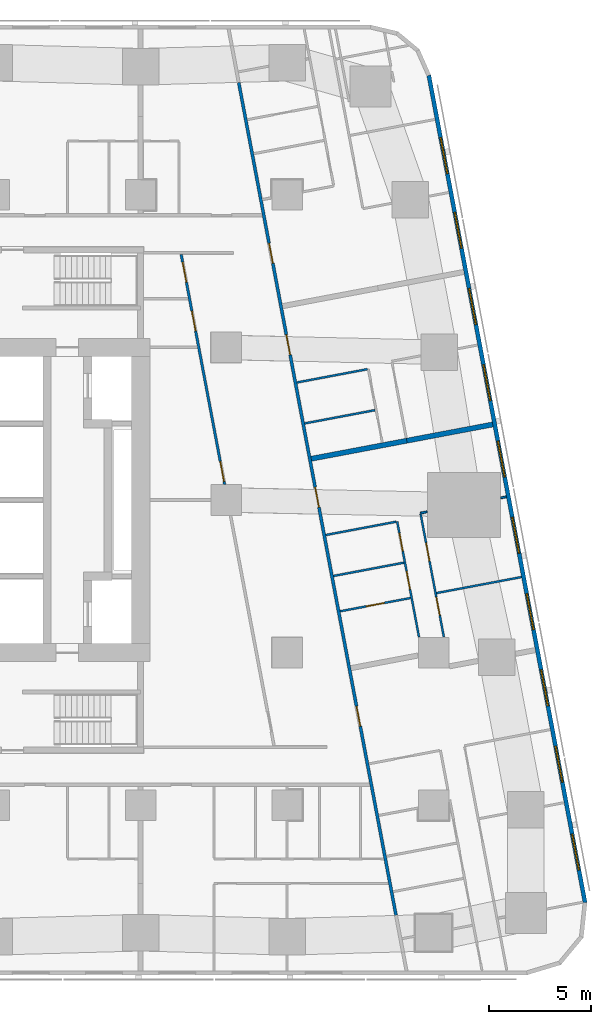
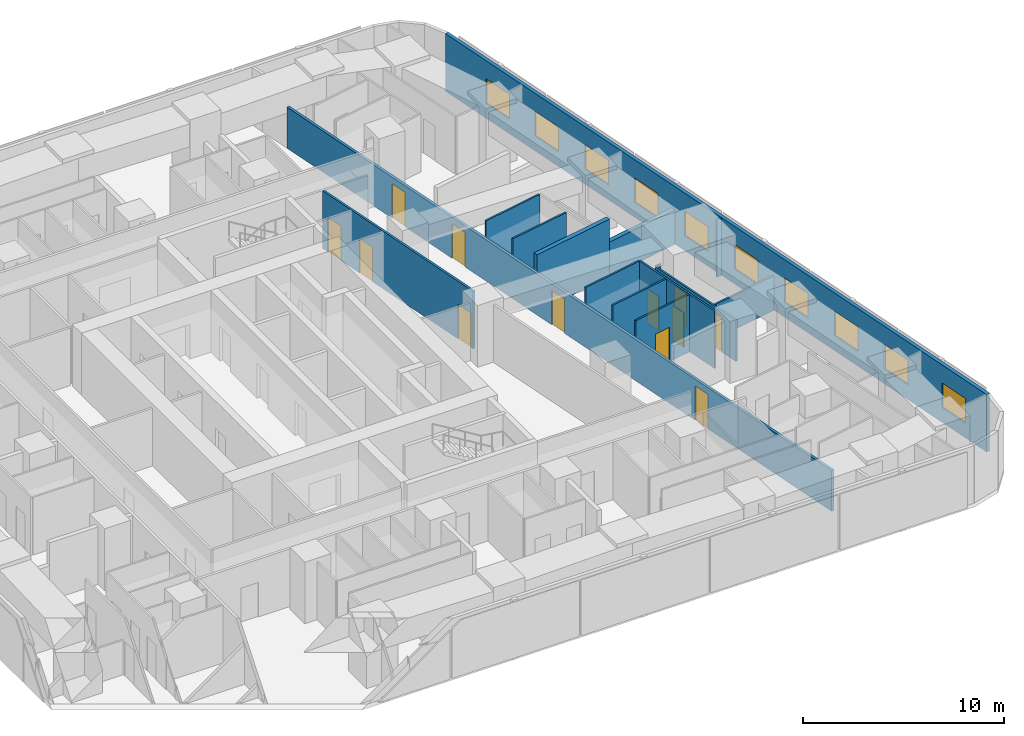
# One storey, part 7 of 15: 15 walls, 12 doors, 10 windows, 22 openings.
"""IFC4 building model written with IfcOpenShell, lengths in metres."""

from ifc_helpers import new_model, si_unit, direction, frame, frame_2d, origin, place, context, subcontext, project, spatial, rectangle, extrude, material, layer, layer_set, type_object, element, fill, save


model = new_model("IFC4")

# Units and contexts
model_context = context("Model", 3, precision=1e-05, world=origin(), true_north=direction((0.0, 1.0)))
body_context = subcontext(model_context, "Body", "Model", "MODEL_VIEW")
ifc_project = project(units=[si_unit("LENGTHUNIT", "METRE"), si_unit("AREAUNIT", "SQUARE_METRE"), si_unit("VOLUMEUNIT", "CUBIC_METRE"), si_unit("PLANEANGLEUNIT", "RADIAN"), si_unit("MASSUNIT", "GRAM", prefix="KILO")], contexts=[model_context])

# Site, building, storey
site_placement = place(None, origin())
site = spatial("IfcSite", under=ifc_project, at=site_placement, CompositionType="ELEMENT")
building_placement = place(site_placement, origin())
building = spatial("IfcBuilding", under=site, at=building_placement, Name="Sheger Commons Tower", CompositionType="ELEMENT")
storey_placement = place(building_placement, frame((0.0, 0.0, 180.800048828125)))
storey = spatial("IfcBuildingStorey", under=building, at=storey_placement, Name="L46", CompositionType="ELEMENT", Elevation=180.800048828125)

# Wall, openings, doors
ifc_material_1 = material(Name="Hollow concrete block masonry, skimmed both sides", Category="masonry")
ifc_layer_1 = layer(ifc_material_1, 0.14990234375)
ifc_layer_set_1 = layer_set([ifc_layer_1], Name="CORRIDOR WALL 150")
wall_type_1 = type_object("IfcWallType", Name="CORRIDOR WALL 150", PredefinedType="SOLIDWALL", material=ifc_layer_set_1)
wall_1_placement = place(storey_placement, frame((33.623046875, 43.02197265625, 0.0), z_axis=(0.0, 0.0, 1.0), x_axis=(0.185596841028, -0.98262597798, 0.0)))
wall_1 = element("IfcWall", 1, at=wall_1_placement, inside=storey, type_object=wall_type_1, Name="Corridor wall L46", PredefinedType="SOLIDWALL", context=body_context, shape_type="SweptSolid", body=[
    extrude(rectangle(XDim=41.659912109375, YDim=0.14990234375, at=frame_2d((20.830078125, 0.0))), origin(), (0.0, 0.0, 1.0), 2.5),
])
opening_1_placement = place(wall_1_placement, frame((8.033935546875, 0.0, 0.0)))
opening_1 = element("IfcOpeningElement", 2, at=opening_1_placement, cuts=wall_1, Name="Opening D1", PredefinedType="OPENING", context=body_context, shape_type="SweptSolid", body=[
    extrude(rectangle(XDim=1.0, YDim=2.10009765625, at=frame_2d((0.5, 1.050048828125))), frame((0.0, 0.0849609375, 0.0), z_axis=(0.0, -1.0, 0.0), x_axis=(1.0, 0.0, 0.0)), (0.0, 0.0, 1.0), 0.169921875),
])
opening_2_placement = place(wall_1_placement, frame((12.611083984375, 0.0, 0.0)))
opening_2 = element("IfcOpeningElement", 3, at=opening_2_placement, cuts=wall_1, Name="Opening D1", PredefinedType="OPENING", context=body_context, shape_type="SweptSolid", body=[
    extrude(rectangle(XDim=1.0, YDim=2.10009765625, at=frame_2d((0.5, 1.050048828125))), frame((0.0, 0.0849609375, 0.0), z_axis=(0.0, -1.0, 0.0), x_axis=(1.0, 0.0, 0.0)), (0.0, 0.0, 1.0), 0.169921875),
])
opening_3_placement = place(wall_1_placement, frame((20.241943359375, 0.0, 0.0)))
opening_3 = element("IfcOpeningElement", 4, at=opening_3_placement, cuts=wall_1, Name="Opening D1", PredefinedType="OPENING", context=body_context, shape_type="SweptSolid", body=[
    extrude(rectangle(XDim=1.0, YDim=2.10009765625, at=frame_2d((0.5, 1.050048828125))), frame((0.0, 0.0849609375, 0.0), z_axis=(0.0, -1.0, 0.0), x_axis=(1.0, 0.0, 0.0)), (0.0, 0.0, 1.0), 0.169921875),
])
opening_4_placement = place(wall_1_placement, frame((31.2060546875, 0.0, 0.0)))
opening_4 = element("IfcOpeningElement", 5, at=opening_4_placement, cuts=wall_1, Name="Opening D1", PredefinedType="OPENING", context=body_context, shape_type="SweptSolid", body=[
    extrude(rectangle(XDim=1.0, YDim=2.10009765625, at=frame_2d((0.5, 1.050048828125))), frame((0.0, 0.0849609375, 0.0), z_axis=(0.0, -1.0, 0.0), x_axis=(1.0, 0.0, 0.0)), (0.0, 0.0, 1.0), 0.169921875),
])
ifc_material_2 = material(Name="Steel door set, fire rated", Category="steel")
door_type_1 = type_object("IfcDoorType", Name="FLAT ENTRANCE DOOR 1000x2100", OperationType="NOTDEFINED", PredefinedType="DOOR", material=ifc_material_2)
door_1_placement = place(opening_1_placement, origin())
door_1 = element("IfcDoor", 6, at=door_1_placement, inside=storey, type_object=door_type_1, Name="Flat entrance door", OperationType="SINGLE_SWING_RIGHT", OverallHeight=2.10009765625, OverallWidth=1.0, PredefinedType="DOOR", context=body_context, shape_type="SweptSolid", body=[
    extrude(rectangle(XDim=1.0, YDim=2.10009765625, at=frame_2d((0.5, 1.050048828125))), frame((0.0, 0.02490234375, 0.0), z_axis=(0.0, -1.0, 0.0), x_axis=(1.0, 0.0, 0.0)), (0.0, 0.0, 1.0), 0.050048828125),
])
fill(opening_1, door_1)
door_2_placement = place(opening_2_placement, origin())
door_2 = element("IfcDoor", 7, at=door_2_placement, inside=storey, type_object=door_type_1, Name="Flat entrance door", OperationType="SINGLE_SWING_LEFT", OverallHeight=2.10009765625, OverallWidth=1.0, PredefinedType="DOOR", context=body_context, shape_type="SweptSolid", body=[
    extrude(rectangle(XDim=1.0, YDim=2.10009765625, at=frame_2d((0.5, 1.050048828125))), frame((0.0, 0.02490234375, 0.0), z_axis=(0.0, -1.0, 0.0), x_axis=(1.0, 0.0, 0.0)), (0.0, 0.0, 1.0), 0.050048828125),
])
fill(opening_2, door_2)
door_3_placement = place(opening_3_placement, origin())
door_3 = element("IfcDoor", 8, at=door_3_placement, inside=storey, type_object=door_type_1, Name="Flat entrance door", OperationType="SINGLE_SWING_LEFT", OverallHeight=2.10009765625, OverallWidth=1.0, PredefinedType="DOOR", context=body_context, shape_type="SweptSolid", body=[
    extrude(rectangle(XDim=1.0, YDim=2.10009765625, at=frame_2d((0.5, 1.050048828125))), frame((0.0, 0.02490234375, 0.0), z_axis=(0.0, -1.0, 0.0), x_axis=(1.0, 0.0, 0.0)), (0.0, 0.0, 1.0), 0.050048828125),
])
fill(opening_3, door_3)
door_4_placement = place(opening_4_placement, origin())
door_4 = element("IfcDoor", 9, at=door_4_placement, inside=storey, type_object=door_type_1, Name="Flat entrance door", OperationType="SINGLE_SWING_LEFT", OverallHeight=2.10009765625, OverallWidth=1.0, PredefinedType="DOOR", context=body_context, shape_type="SweptSolid", body=[
    extrude(rectangle(XDim=1.0, YDim=2.10009765625, at=frame_2d((0.5, 1.050048828125))), frame((0.0, 0.02490234375, 0.0), z_axis=(0.0, -1.0, 0.0), x_axis=(1.0, 0.0, 0.0)), (0.0, 0.0, 1.0), 0.050048828125),
])
fill(opening_4, door_4)

# Walls
ifc_material_3 = material(Name="Dense concrete block masonry, plastered both sides (separating wall between flats)", Category="masonry")
ifc_layer_2 = layer(ifc_material_3, 0.25)
ifc_layer_set_2 = layer_set([ifc_layer_2], Name="DEMISING WALL 250")
wall_type_2 = type_object("IfcWallType", Name="DEMISING WALL 250", PredefinedType="SOLIDWALL", material=ifc_layer_set_2)
wall_2_placement = place(storey_placement, frame((46.110107421875, 26.212890625, 0.0), z_axis=(0.0, 0.0, 1.0), x_axis=(-0.982633535512, -0.185556823879, 0.0)))
element("IfcWall", 10, at=wall_2_placement, inside=storey, type_object=wall_type_2, Name="Demising wall L46", PredefinedType="SOLIDWALL", context=body_context, shape_type="SweptSolid", body=[
    extrude(rectangle(XDim=4.2998046875, YDim=0.25, at=frame_2d((2.14990234375, 0.0))), origin(), (0.0, 0.0, 1.0), 2.099853515625),
])
wall_3_placement = place(storey_placement, frame((41.885009765625, 25.4150390625, 0.0), z_axis=(0.0, 0.0, 1.0), x_axis=(-0.982596737686, -0.185751584349, 0.0)))
element("IfcWall", 11, at=wall_3_placement, inside=storey, type_object=wall_type_2, Name="Demising wall L46", PredefinedType="SOLIDWALL", context=body_context, shape_type="SweptSolid", body=[
    extrude(rectangle(XDim=4.77490234375, YDim=0.25, at=frame_2d((2.387451171875, 0.0))), origin(), (0.0, 0.0, 1.0), 3.5),
])

# Wall, openings, windows
ifc_material_4 = material(Name="Rendered concrete block masonry, dark grey", Category="masonry")
ifc_layer_3 = layer(ifc_material_4, 0.199951171875)
ifc_layer_set_3 = layer_set([ifc_layer_3], Name="FACADE WALL 200")
wall_type_3 = type_object("IfcWallType", Name="FACADE WALL 200", PredefinedType="SOLIDWALL", material=ifc_layer_set_3)
wall_4_placement = place(storey_placement, frame((50.653076171875, 2.702880859375, 0.0), z_axis=(0.0, 0.0, 1.0), x_axis=(-0.185612026696, 0.982623109613, 0.0)))
wall_4 = element("IfcWall", 12, at=wall_4_placement, inside=storey, type_object=wall_type_3, Name="Facade wall L46", PredefinedType="SOLIDWALL", context=body_context, shape_type="SweptSolid", body=[
    extrude(rectangle(XDim=41.393310546875, YDim=0.199951171875, at=frame_2d((20.69677734375, 0.0))), origin(), (0.0, 0.0, 1.0), 3.5),
])
opening_5_placement = place(wall_4_placement, frame((1.633056640625, 0.0, 0.89990234375)))
opening_5 = element("IfcOpeningElement", 13, at=opening_5_placement, cuts=wall_4, Name="Opening W2", PredefinedType="OPENING", context=body_context, shape_type="SweptSolid", body=[
    extrude(rectangle(XDim=1.800048828125, YDim=1.5, at=frame_2d((0.89990234375, 0.75))), frame((0.0, 0.10986328125, 0.0), z_axis=(0.0, -1.0, 0.0), x_axis=(1.0, 0.0, 0.0)), (0.0, 0.0, 1.0), 0.219970703125),
])
opening_6_placement = place(wall_4_placement, frame((6.031982421875, 0.0, 0.89990234375)))
opening_6 = element("IfcOpeningElement", 14, at=opening_6_placement, cuts=wall_4, Name="Opening W2", PredefinedType="OPENING", context=body_context, shape_type="SweptSolid", body=[
    extrude(rectangle(XDim=1.800048828125, YDim=1.5, at=frame_2d((0.89990234375, 0.75))), frame((0.0, 0.10986328125, 0.0), z_axis=(0.0, -1.0, 0.0), x_axis=(1.0, 0.0, 0.0)), (0.0, 0.0, 1.0), 0.219970703125),
])
opening_7_placement = place(wall_4_placement, frame((9.847900390625, 0.0, 0.89990234375)))
opening_7 = element("IfcOpeningElement", 15, at=opening_7_placement, cuts=wall_4, Name="Opening W2", PredefinedType="OPENING", context=body_context, shape_type="SweptSolid", body=[
    extrude(rectangle(XDim=1.800048828125, YDim=1.5, at=frame_2d((0.89990234375, 0.75))), frame((0.0, 0.10986328125, 0.0), z_axis=(0.0, -1.0, 0.0), x_axis=(1.0, 0.0, 0.0)), (0.0, 0.0, 1.0), 0.219970703125),
])
opening_8_placement = place(wall_4_placement, frame((13.6640625, 0.0, 0.89990234375)))
opening_8 = element("IfcOpeningElement", 16, at=opening_8_placement, cuts=wall_4, Name="Opening W2", PredefinedType="OPENING", context=body_context, shape_type="SweptSolid", body=[
    extrude(rectangle(XDim=1.800048828125, YDim=1.5, at=frame_2d((0.89990234375, 0.75))), frame((0.0, 0.10986328125, 0.0), z_axis=(0.0, -1.0, 0.0), x_axis=(1.0, 0.0, 0.0)), (0.0, 0.0, 1.0), 0.219970703125),
])
opening_9_placement = place(wall_4_placement, frame((17.48095703125, 0.0, 0.89990234375)))
opening_9 = element("IfcOpeningElement", 17, at=opening_9_placement, cuts=wall_4, Name="Opening W2", PredefinedType="OPENING", context=body_context, shape_type="SweptSolid", body=[
    extrude(rectangle(XDim=1.800048828125, YDim=1.5, at=frame_2d((0.89990234375, 0.75))), frame((0.0, 0.10986328125, 0.0), z_axis=(0.0, -1.0, 0.0), x_axis=(1.0, 0.0, 0.0)), (0.0, 0.0, 1.0), 0.219970703125),
])
opening_10_placement = place(wall_4_placement, frame((21.297119140625, 0.0, 0.89990234375)))
opening_10 = element("IfcOpeningElement", 18, at=opening_10_placement, cuts=wall_4, Name="Opening W2", PredefinedType="OPENING", context=body_context, shape_type="SweptSolid", body=[
    extrude(rectangle(XDim=1.800048828125, YDim=1.5, at=frame_2d((0.89990234375, 0.75))), frame((0.0, 0.10986328125, 0.0), z_axis=(0.0, -1.0, 0.0), x_axis=(1.0, 0.0, 0.0)), (0.0, 0.0, 1.0), 0.219970703125),
])
opening_11_placement = place(wall_4_placement, frame((25.113037109375, 0.0, 0.89990234375)))
opening_11 = element("IfcOpeningElement", 19, at=opening_11_placement, cuts=wall_4, Name="Opening W2", PredefinedType="OPENING", context=body_context, shape_type="SweptSolid", body=[
    extrude(rectangle(XDim=1.800048828125, YDim=1.5, at=frame_2d((0.89990234375, 0.75))), frame((0.0, 0.10986328125, 0.0), z_axis=(0.0, -1.0, 0.0), x_axis=(1.0, 0.0, 0.0)), (0.0, 0.0, 1.0), 0.219970703125),
])
opening_12_placement = place(wall_4_placement, frame((28.929931640625, 0.0, 0.89990234375)))
opening_12 = element("IfcOpeningElement", 20, at=opening_12_placement, cuts=wall_4, Name="Opening W2", PredefinedType="OPENING", context=body_context, shape_type="SweptSolid", body=[
    extrude(rectangle(XDim=1.800048828125, YDim=1.5, at=frame_2d((0.89990234375, 0.75))), frame((0.0, 0.10986328125, 0.0), z_axis=(0.0, -1.0, 0.0), x_axis=(1.0, 0.0, 0.0)), (0.0, 0.0, 1.0), 0.219970703125),
])
opening_13_placement = place(wall_4_placement, frame((32.74609375, 0.0, 0.89990234375)))
opening_13 = element("IfcOpeningElement", 21, at=opening_13_placement, cuts=wall_4, Name="Opening W2", PredefinedType="OPENING", context=body_context, shape_type="SweptSolid", body=[
    extrude(rectangle(XDim=1.800048828125, YDim=1.5, at=frame_2d((0.89990234375, 0.75))), frame((0.0, 0.10986328125, 0.0), z_axis=(0.0, -1.0, 0.0), x_axis=(1.0, 0.0, 0.0)), (0.0, 0.0, 1.0), 0.219970703125),
])
opening_14_placement = place(wall_4_placement, frame((36.48095703125, 0.0, 0.89990234375)))
opening_14 = element("IfcOpeningElement", 22, at=opening_14_placement, cuts=wall_4, Name="Opening W2", PredefinedType="OPENING", context=body_context, shape_type="SweptSolid", body=[
    extrude(rectangle(XDim=1.800048828125, YDim=1.5, at=frame_2d((0.89990234375, 0.75))), frame((0.0, 0.10986328125, 0.0), z_axis=(0.0, -1.0, 0.0), x_axis=(1.0, 0.0, 0.0)), (0.0, 0.0, 1.0), 0.219970703125),
])
ifc_material_5 = material(Name="Black aluminium frame, dark tinted double glazing", Category="aluminium")
window_type = type_object("IfcWindowType", Name="WINDOW W2 1800x1500", PartitioningType="SINGLE_PANEL", PredefinedType="WINDOW", material=ifc_material_5)
window_1_placement = place(opening_5_placement, origin())
window_1 = element("IfcWindow", 23, at=window_1_placement, inside=storey, type_object=window_type, Name="Window W2 1800X1500", OverallHeight=1.5, OverallWidth=1.800048828125, PartitioningType="SINGLE_PANEL", PredefinedType="WINDOW", context=body_context, shape_type="SweptSolid", body=[
    extrude(rectangle(XDim=1.800048828125, YDim=1.5, at=frame_2d((0.89990234375, 0.75))), frame((0.0, 0.030029296875, 0.0), z_axis=(0.0, -1.0, 0.0), x_axis=(1.0, 0.0, 0.0)), (0.0, 0.0, 1.0), 0.06005859375),
])
fill(opening_5, window_1)
window_2_placement = place(opening_6_placement, origin())
window_2 = element("IfcWindow", 24, at=window_2_placement, inside=storey, type_object=window_type, Name="Window W2 1800X1500", OverallHeight=1.5, OverallWidth=1.800048828125, PartitioningType="SINGLE_PANEL", PredefinedType="WINDOW", context=body_context, shape_type="SweptSolid", body=[
    extrude(rectangle(XDim=1.800048828125, YDim=1.5, at=frame_2d((0.89990234375, 0.75))), frame((0.0, 0.030029296875, 0.0), z_axis=(0.0, -1.0, 0.0), x_axis=(1.0, 0.0, 0.0)), (0.0, 0.0, 1.0), 0.06005859375),
])
fill(opening_6, window_2)
window_3_placement = place(opening_7_placement, origin())
window_3 = element("IfcWindow", 25, at=window_3_placement, inside=storey, type_object=window_type, Name="Window W2 1800X1500", OverallHeight=1.5, OverallWidth=1.800048828125, PartitioningType="SINGLE_PANEL", PredefinedType="WINDOW", context=body_context, shape_type="SweptSolid", body=[
    extrude(rectangle(XDim=1.800048828125, YDim=1.5, at=frame_2d((0.89990234375, 0.75))), frame((0.0, 0.030029296875, 0.0), z_axis=(0.0, -1.0, 0.0), x_axis=(1.0, 0.0, 0.0)), (0.0, 0.0, 1.0), 0.06005859375),
])
fill(opening_7, window_3)
window_4_placement = place(opening_8_placement, origin())
window_4 = element("IfcWindow", 26, at=window_4_placement, inside=storey, type_object=window_type, Name="Window W2 1800X1500", OverallHeight=1.5, OverallWidth=1.800048828125, PartitioningType="SINGLE_PANEL", PredefinedType="WINDOW", context=body_context, shape_type="SweptSolid", body=[
    extrude(rectangle(XDim=1.800048828125, YDim=1.5, at=frame_2d((0.89990234375, 0.75))), frame((0.0, 0.030029296875, 0.0), z_axis=(0.0, -1.0, 0.0), x_axis=(1.0, 0.0, 0.0)), (0.0, 0.0, 1.0), 0.06005859375),
])
fill(opening_8, window_4)
window_5_placement = place(opening_9_placement, origin())
window_5 = element("IfcWindow", 27, at=window_5_placement, inside=storey, type_object=window_type, Name="Window W2 1800X1500", OverallHeight=1.5, OverallWidth=1.800048828125, PartitioningType="SINGLE_PANEL", PredefinedType="WINDOW", context=body_context, shape_type="SweptSolid", body=[
    extrude(rectangle(XDim=1.800048828125, YDim=1.5, at=frame_2d((0.89990234375, 0.75))), frame((0.0, 0.030029296875, 0.0), z_axis=(0.0, -1.0, 0.0), x_axis=(1.0, 0.0, 0.0)), (0.0, 0.0, 1.0), 0.06005859375),
])
fill(opening_9, window_5)
window_6_placement = place(opening_10_placement, origin())
window_6 = element("IfcWindow", 28, at=window_6_placement, inside=storey, type_object=window_type, Name="Window W2 1800X1500", OverallHeight=1.5, OverallWidth=1.800048828125, PartitioningType="SINGLE_PANEL", PredefinedType="WINDOW", context=body_context, shape_type="SweptSolid", body=[
    extrude(rectangle(XDim=1.800048828125, YDim=1.5, at=frame_2d((0.89990234375, 0.75))), frame((0.0, 0.030029296875, 0.0), z_axis=(0.0, -1.0, 0.0), x_axis=(1.0, 0.0, 0.0)), (0.0, 0.0, 1.0), 0.06005859375),
])
fill(opening_10, window_6)
window_7_placement = place(opening_11_placement, origin())
window_7 = element("IfcWindow", 29, at=window_7_placement, inside=storey, type_object=window_type, Name="Window W2 1800X1500", OverallHeight=1.5, OverallWidth=1.800048828125, PartitioningType="SINGLE_PANEL", PredefinedType="WINDOW", context=body_context, shape_type="SweptSolid", body=[
    extrude(rectangle(XDim=1.800048828125, YDim=1.5, at=frame_2d((0.89990234375, 0.75))), frame((0.0, 0.030029296875, 0.0), z_axis=(0.0, -1.0, 0.0), x_axis=(1.0, 0.0, 0.0)), (0.0, 0.0, 1.0), 0.06005859375),
])
fill(opening_11, window_7)
window_8_placement = place(opening_12_placement, origin())
window_8 = element("IfcWindow", 30, at=window_8_placement, inside=storey, type_object=window_type, Name="Window W2 1800X1500", OverallHeight=1.5, OverallWidth=1.800048828125, PartitioningType="SINGLE_PANEL", PredefinedType="WINDOW", context=body_context, shape_type="SweptSolid", body=[
    extrude(rectangle(XDim=1.800048828125, YDim=1.5, at=frame_2d((0.89990234375, 0.75))), frame((0.0, 0.030029296875, 0.0), z_axis=(0.0, -1.0, 0.0), x_axis=(1.0, 0.0, 0.0)), (0.0, 0.0, 1.0), 0.06005859375),
])
fill(opening_12, window_8)
window_9_placement = place(opening_13_placement, origin())
window_9 = element("IfcWindow", 31, at=window_9_placement, inside=storey, type_object=window_type, Name="Window W2 1800X1500", OverallHeight=1.5, OverallWidth=1.800048828125, PartitioningType="SINGLE_PANEL", PredefinedType="WINDOW", context=body_context, shape_type="SweptSolid", body=[
    extrude(rectangle(XDim=1.800048828125, YDim=1.5, at=frame_2d((0.89990234375, 0.75))), frame((0.0, 0.030029296875, 0.0), z_axis=(0.0, -1.0, 0.0), x_axis=(1.0, 0.0, 0.0)), (0.0, 0.0, 1.0), 0.06005859375),
])
fill(opening_13, window_9)
window_10_placement = place(opening_14_placement, origin())
window_10 = element("IfcWindow", 32, at=window_10_placement, inside=storey, type_object=window_type, Name="Window W2 1800X1500", OverallHeight=1.5, OverallWidth=1.800048828125, PartitioningType="SINGLE_PANEL", PredefinedType="WINDOW", context=body_context, shape_type="SweptSolid", body=[
    extrude(rectangle(XDim=1.800048828125, YDim=1.5, at=frame_2d((0.89990234375, 0.75))), frame((0.0, 0.030029296875, 0.0), z_axis=(0.0, -1.0, 0.0), x_axis=(1.0, 0.0, 0.0)), (0.0, 0.0, 1.0), 0.06005859375),
])
fill(opening_14, window_10)

# Walls
ifc_material_6 = material(Name="Gypsum board on steel studs", Category="steel")
ifc_layer_4 = layer(ifc_material_6, 0.10009765625)
ifc_layer_set_4 = layer_set([ifc_layer_4], Name="PARTITION 100")
wall_type_4 = type_object("IfcWallType", Name="PARTITION 100", PredefinedType="PARTITIONING", material=ifc_layer_set_4)
for number, where, z_axis, x_axis, name in (
    (33, (39.947998046875, 28.93310546875, 0.0), (0.0, 0.0, 1.0), (-0.982588017646, -0.185797706064, 0.0), "Partition L46"),
    (34, (40.3291015625, 26.91796875, 0.0), (0.0, 0.0, 1.0), (-0.982638553676, -0.185530247748, 0.0), "Partition L46"),
):
    element("IfcWall", number, at=place(storey_placement, frame(where, z_axis=z_axis, x_axis=x_axis)), inside=storey, type_object=wall_type_4, Name=name, PredefinedType="PARTITIONING", context=body_context, shape_type="SweptSolid", body=[
        extrude(rectangle(XDim=3.525390625, YDim=0.10009765625, at=frame_2d((1.7626953125, 0.0))), origin(), (0.0, 0.0, 1.0), 3.5),
    ])

# Wall, openings, doors
wall_5_placement = place(storey_placement, frame((42.56591796875, 21.80908203125, 0.0), z_axis=(0.0, 0.0, 1.0), x_axis=(0.185679528947, -0.982610356413, 0.0)))
wall_5 = element("IfcWall", 35, at=wall_5_placement, inside=storey, type_object=wall_type_4, Name="Partition L46", PredefinedType="PARTITIONING", context=body_context, shape_type="SweptSolid", body=[
    extrude(rectangle(XDim=6.156005859375, YDim=0.10009765625, at=frame_2d((3.078125, 0.0))), origin(), (0.0, 0.0, 1.0), 2.5),
])
opening_15_placement = place(wall_5_placement, frame((1.449951171875, 0.0, 0.0)))
opening_15 = element("IfcOpeningElement", 36, at=opening_15_placement, cuts=wall_5, Name="Opening D2", PredefinedType="OPENING", context=body_context, shape_type="SweptSolid", body=[
    extrude(rectangle(XDim=0.89990234375, YDim=2.10009765625, at=frame_2d((0.449951171875, 1.050048828125))), frame((0.0, 0.06005859375, 0.0), z_axis=(0.0, -1.0, 0.0), x_axis=(1.0, 0.0, 0.0)), (0.0, 0.0, 1.0), 0.1201171875),
])
opening_16_placement = place(wall_5_placement, frame((4.1630859375, 0.0, 0.0)))
opening_16 = element("IfcOpeningElement", 37, at=opening_16_placement, cuts=wall_5, Name="Opening D2", PredefinedType="OPENING", context=body_context, shape_type="SweptSolid", body=[
    extrude(rectangle(XDim=0.89990234375, YDim=2.10009765625, at=frame_2d((0.449951171875, 1.050048828125))), frame((0.0, 0.06005859375, 0.0), z_axis=(0.0, -1.0, 0.0), x_axis=(1.0, 0.0, 0.0)), (0.0, 0.0, 1.0), 0.1201171875),
])
ifc_material_7 = material(Name="Timber door set", Category="wood")
door_type_2 = type_object("IfcDoorType", Name="INTERNAL DOOR 900x2100", OperationType="NOTDEFINED", PredefinedType="DOOR", material=ifc_material_7)
door_5_placement = place(opening_15_placement, origin())
door_5 = element("IfcDoor", 38, at=door_5_placement, inside=storey, type_object=door_type_2, Name="Main bedroom door", OperationType="SINGLE_SWING_LEFT", OverallHeight=2.10009765625, OverallWidth=0.89990234375, PredefinedType="DOOR", context=body_context, shape_type="SweptSolid", body=[
    extrude(rectangle(XDim=0.89990234375, YDim=2.10009765625, at=frame_2d((0.449951171875, 1.050048828125))), frame((0.0, 0.02490234375, 0.0), z_axis=(0.0, -1.0, 0.0), x_axis=(1.0, 0.0, 0.0)), (0.0, 0.0, 1.0), 0.050048828125),
])
fill(opening_15, door_5)
door_6_placement = place(opening_16_placement, origin())
door_6 = element("IfcDoor", 39, at=door_6_placement, inside=storey, type_object=door_type_2, Name="Bedroom 2 door", OperationType="SINGLE_SWING_LEFT", OverallHeight=2.10009765625, OverallWidth=0.89990234375, PredefinedType="DOOR", context=body_context, shape_type="SweptSolid", body=[
    extrude(rectangle(XDim=0.89990234375, YDim=2.10009765625, at=frame_2d((0.449951171875, 1.050048828125))), frame((0.0, 0.02490234375, 0.0), z_axis=(0.0, -1.0, 0.0), x_axis=(1.0, 0.0, 0.0)), (0.0, 0.0, 1.0), 0.050048828125),
])
fill(opening_16, door_6)

wall_6_placement = place(storey_placement, frame((41.4140625, 21.44189453125, 0.0), z_axis=(0.0, 0.0, 1.0), x_axis=(0.185666997732, -0.982612724299, 0.0)))
wall_6 = element("IfcWall", 40, at=wall_6_placement, inside=storey, type_object=wall_type_4, Name="Partition L46", PredefinedType="PARTITIONING", context=body_context, shape_type="SweptSolid", body=[
    extrude(rectangle(XDim=5.784423828125, YDim=0.10009765625, at=frame_2d((2.89208984375, 0.0))), origin(), (0.0, 0.0, 1.0), 3.5),
])
opening_17_placement = place(wall_6_placement, frame((0.574951171875, 0.0, 0.0)))
opening_17 = element("IfcOpeningElement", 41, at=opening_17_placement, cuts=wall_6, Name="Opening D2", PredefinedType="OPENING", context=body_context, shape_type="SweptSolid", body=[
    extrude(rectangle(XDim=0.89990234375, YDim=2.10009765625, at=frame_2d((0.449951171875, 1.050048828125))), frame((0.0, 0.06005859375, 0.0), z_axis=(0.0, -1.0, 0.0), x_axis=(1.0, 0.0, 0.0)), (0.0, 0.0, 1.0), 0.1201171875),
])
opening_18_placement = place(wall_6_placement, frame((2.48291015625, 0.0, 0.0)))
opening_18 = element("IfcOpeningElement", 42, at=opening_18_placement, cuts=wall_6, Name="Opening D2", PredefinedType="OPENING", context=body_context, shape_type="SweptSolid", body=[
    extrude(rectangle(XDim=0.89990234375, YDim=2.10009765625, at=frame_2d((0.449951171875, 1.050048828125))), frame((0.0, 0.06005859375, 0.0), z_axis=(0.0, -1.0, 0.0), x_axis=(1.0, 0.0, 0.0)), (0.0, 0.0, 1.0), 0.1201171875),
])
door_7_placement = place(opening_17_placement, origin())
door_7 = element("IfcDoor", 43, at=door_7_placement, inside=storey, type_object=door_type_2, Name="Bathroom door", OperationType="SINGLE_SWING_RIGHT", OverallHeight=2.10009765625, OverallWidth=0.89990234375, PredefinedType="DOOR", context=body_context, shape_type="SweptSolid", body=[
    extrude(rectangle(XDim=0.89990234375, YDim=2.10009765625, at=frame_2d((0.449951171875, 1.050048828125))), frame((0.0, 0.02490234375, 0.0), z_axis=(0.0, -1.0, 0.0), x_axis=(1.0, 0.0, 0.0)), (0.0, 0.0, 1.0), 0.050048828125),
])
fill(opening_17, door_7)
door_8_placement = place(opening_18_placement, origin())
door_8 = element("IfcDoor", 44, at=door_8_placement, inside=storey, type_object=door_type_2, Name="Store door", OperationType="SINGLE_SWING_RIGHT", OverallHeight=2.10009765625, OverallWidth=0.89990234375, PredefinedType="DOOR", context=body_context, shape_type="SweptSolid", body=[
    extrude(rectangle(XDim=0.89990234375, YDim=2.10009765625, at=frame_2d((0.449951171875, 1.050048828125))), frame((0.0, 0.02490234375, 0.0), z_axis=(0.0, -1.0, 0.0), x_axis=(1.0, 0.0, 0.0)), (0.0, 0.0, 1.0), 0.050048828125),
])
fill(opening_18, door_8)

# Walls
wall_7_placement = place(storey_placement, frame((46.781982421875, 22.656982421875, 0.0), z_axis=(0.0, 0.0, 1.0), x_axis=(-0.982574553168, -0.185868898601, 0.0)))
element("IfcWall", 45, at=wall_7_placement, inside=storey, type_object=wall_type_4, Name="Partition L46", PredefinedType="PARTITIONING", context=body_context, shape_type="SweptSolid", body=[
    extrude(rectangle(XDim=0.27978515625, YDim=0.10009765625, at=frame_2d((0.139892578125, 0.0))), origin(), (0.0, 0.0, 1.0), 3.5),
])
wall_8_placement = place(storey_placement, frame((42.886962890625, 21.9208984375, 0.0), z_axis=(0.0, 0.0, 1.0), x_axis=(-0.982274918032, -0.187445953293, 0.0)))
element("IfcWall", 46, at=wall_8_placement, inside=storey, type_object=wall_type_4, Name="Partition L46", PredefinedType="PARTITIONING", context=body_context, shape_type="SweptSolid", body=[
    extrude(rectangle(XDim=0.3359375, YDim=0.10009765625, at=frame_2d((0.16796875, 0.0))), origin(), (0.0, 0.0, 1.0), 2.5),
])
wall_9_placement = place(storey_placement, frame((47.527099609375, 18.7119140625, 0.0), z_axis=(0.0, 0.0, 1.0), x_axis=(-0.982665405803, -0.185387972203, 0.0)))
element("IfcWall", 47, at=wall_9_placement, inside=storey, type_object=wall_type_4, Name="Partition L46", PredefinedType="PARTITIONING", context=body_context, shape_type="SweptSolid", body=[
    extrude(rectangle(XDim=4.249755859375, YDim=0.10009765625, at=frame_2d((2.125, 0.0))), origin(), (0.0, 0.0, 1.0), 2.099853515625),
])
wall_10_placement = place(storey_placement, frame((41.364990234375, 21.43310546875, 0.0), z_axis=(0.0, 0.0, 1.0), x_axis=(-0.982638553676, -0.185530247748, 0.0)))
element("IfcWall", 48, at=wall_10_placement, inside=storey, type_object=wall_type_4, Name="Partition L46", PredefinedType="PARTITIONING", context=body_context, shape_type="SweptSolid", body=[
    extrude(rectangle(XDim=3.525390625, YDim=0.10009765625, at=frame_2d((1.7626953125, 0.0))), origin(), (0.0, 0.0, 1.0), 3.5),
])

# Wall, opening, door
wall_11_placement = place(storey_placement, frame((42.072998046875, 17.681884765625, 0.0), z_axis=(0.0, 0.0, 1.0), x_axis=(-0.98265117712, -0.185463376723, 0.0)))
wall_11 = element("IfcWall", 49, at=wall_11_placement, inside=storey, type_object=wall_type_4, Name="Partition L46", PredefinedType="PARTITIONING", context=body_context, shape_type="SweptSolid", body=[
    extrude(rectangle(XDim=3.525390625, YDim=0.10009765625, at=frame_2d((1.7626953125, 0.0))), origin(), (0.0, 0.0, 1.0), 3.5),
])
opening_19_placement = place(wall_11_placement, frame((1.324951171875, 0.0, 0.0)))
opening_19 = element("IfcOpeningElement", 50, at=opening_19_placement, cuts=wall_11, Name="Opening D2", PredefinedType="OPENING", context=body_context, shape_type="SweptSolid", body=[
    extrude(rectangle(XDim=0.89990234375, YDim=2.10009765625, at=frame_2d((0.449951171875, 1.050048828125))), frame((0.0, 0.06005859375, 0.0), z_axis=(0.0, -1.0, 0.0), x_axis=(1.0, 0.0, 0.0)), (0.0, 0.0, 1.0), 0.1201171875),
])
door_9_placement = place(opening_19_placement, origin())
door_9 = element("IfcDoor", 51, at=door_9_placement, inside=storey, type_object=door_type_2, Name="Store door", OperationType="SINGLE_SWING_RIGHT", OverallHeight=2.10009765625, OverallWidth=0.89990234375, PredefinedType="DOOR", context=body_context, shape_type="SweptSolid", body=[
    extrude(rectangle(XDim=0.89990234375, YDim=2.10009765625, at=frame_2d((0.449951171875, 1.050048828125))), frame((0.0, 0.02490234375, 0.0), z_axis=(0.0, -1.0, 0.0), x_axis=(1.0, 0.0, 0.0)), (0.0, 0.0, 1.0), 0.050048828125),
])
fill(opening_19, door_9)

# Wall
wall_12_placement = place(storey_placement, frame((41.7451171875, 19.41796875, 0.0), z_axis=(0.0, 0.0, 1.0), x_axis=(-0.982638553676, -0.185530247748, 0.0)))
element("IfcWall", 52, at=wall_12_placement, inside=storey, type_object=wall_type_4, Name="Partition L46", PredefinedType="PARTITIONING", context=body_context, shape_type="SweptSolid", body=[
    extrude(rectangle(XDim=3.525390625, YDim=0.10009765625, at=frame_2d((1.7626953125, 0.0))), origin(), (0.0, 0.0, 1.0), 3.5),
])

# Wall, openings, doors
ifc_material_8 = material(Name="Gypsum board on steel studs, two layers each side, fire rated", Category="steel")
ifc_layer_5 = layer(ifc_material_8, 0.125)
ifc_layer_set_5 = layer_set([ifc_layer_5], Name="SERVICE WALL 125")
wall_type_5 = type_object("IfcWallType", Name="SERVICE WALL 125", PredefinedType="PARTITIONING", material=ifc_layer_set_5)
wall_13_placement = place(storey_placement, frame((32.928955078125, 23.262939453125, 0.0), z_axis=(0.0, 0.0, 1.0), x_axis=(-0.185612234763, 0.982623070311, 0.0)))
wall_13 = element("IfcWall", 53, at=wall_13_placement, inside=storey, type_object=wall_type_5, Name="Service room wall L46", PredefinedType="PARTITIONING", context=body_context, shape_type="SweptSolid", body=[
    extrude(rectangle(XDim=11.512939453125, YDim=0.125, at=frame_2d((5.75634765625, 0.0))), origin(), (0.0, 0.0, 1.0), 3.5),
])
opening_20_placement = place(wall_13_placement, frame((0.14990234375, 0.0, 0.0)))
opening_20 = element("IfcOpeningElement", 54, at=opening_20_placement, cuts=wall_13, Name="Opening D4", PredefinedType="OPENING", context=body_context, shape_type="SweptSolid", body=[
    extrude(rectangle(XDim=1.0, YDim=2.10009765625, at=frame_2d((0.5, 1.050048828125))), frame((0.0, 0.072509765625, 0.0), z_axis=(0.0, -1.0, 0.0), x_axis=(1.0, 0.0, 0.0)), (0.0, 0.0, 1.0), 0.14501953125),
])
opening_21_placement = place(wall_13_placement, frame((7.678955078125, 0.0, 0.0)))
opening_21 = element("IfcOpeningElement", 55, at=opening_21_placement, cuts=wall_13, Name="Opening D4", PredefinedType="OPENING", context=body_context, shape_type="SweptSolid", body=[
    extrude(rectangle(XDim=1.0, YDim=2.10009765625, at=frame_2d((0.5, 1.050048828125))), frame((0.0, 0.072509765625, 0.0), z_axis=(0.0, -1.0, 0.0), x_axis=(1.0, 0.0, 0.0)), (0.0, 0.0, 1.0), 0.14501953125),
])
opening_22_placement = place(wall_13_placement, frame((10.1220703125, 0.0, 0.0)))
opening_22 = element("IfcOpeningElement", 56, at=opening_22_placement, cuts=wall_13, Name="Opening D4", PredefinedType="OPENING", context=body_context, shape_type="SweptSolid", body=[
    extrude(rectangle(XDim=1.0, YDim=2.10009765625, at=frame_2d((0.5, 1.050048828125))), frame((0.0, 0.072509765625, 0.0), z_axis=(0.0, -1.0, 0.0), x_axis=(1.0, 0.0, 0.0)), (0.0, 0.0, 1.0), 0.14501953125),
])
ifc_material_9 = material(Name="Steel door set, fire rated", Category="steel")
door_type_3 = type_object("IfcDoorType", Name="SERVICE DOOR 1000x2100", OperationType="NOTDEFINED", PredefinedType="DOOR", material=ifc_material_9)
door_10_placement = place(opening_20_placement, origin())
door_10 = element("IfcDoor", 57, at=door_10_placement, inside=storey, type_object=door_type_3, Name="Residents' meeting room door", OperationType="SINGLE_SWING_LEFT", OverallHeight=2.10009765625, OverallWidth=1.0, PredefinedType="DOOR", context=body_context, shape_type="SweptSolid", body=[
    extrude(rectangle(XDim=1.0, YDim=2.10009765625, at=frame_2d((0.5, 1.050048828125))), frame((0.0, 0.02490234375, 0.0), z_axis=(0.0, -1.0, 0.0), x_axis=(1.0, 0.0, 0.0)), (0.0, 0.0, 1.0), 0.050048828125),
])
fill(opening_20, door_10)
door_11_placement = place(opening_21_placement, origin())
door_11 = element("IfcDoor", 58, at=door_11_placement, inside=storey, type_object=door_type_3, Name="Residents' store door", OperationType="SINGLE_SWING_RIGHT", OverallHeight=2.10009765625, OverallWidth=1.0, PredefinedType="DOOR", context=body_context, shape_type="SweptSolid", body=[
    extrude(rectangle(XDim=1.0, YDim=2.10009765625, at=frame_2d((0.5, 1.050048828125))), frame((0.0, 0.02490234375, 0.0), z_axis=(0.0, -1.0, 0.0), x_axis=(1.0, 0.0, 0.0)), (0.0, 0.0, 1.0), 0.050048828125),
])
fill(opening_21, door_11)
door_12_placement = place(opening_22_placement, origin())
door_12 = element("IfcDoor", 59, at=door_12_placement, inside=storey, type_object=door_type_3, Name="Caretaker's store door", OperationType="SINGLE_SWING_RIGHT", OverallHeight=2.10009765625, OverallWidth=1.0, PredefinedType="DOOR", context=body_context, shape_type="SweptSolid", body=[
    extrude(rectangle(XDim=1.0, YDim=2.10009765625, at=frame_2d((0.5, 1.050048828125))), frame((0.0, 0.02490234375, 0.0), z_axis=(0.0, -1.0, 0.0), x_axis=(1.0, 0.0, 0.0)), (0.0, 0.0, 1.0), 0.050048828125),
])
fill(opening_22, door_12)

save(model, "model.ifc")
